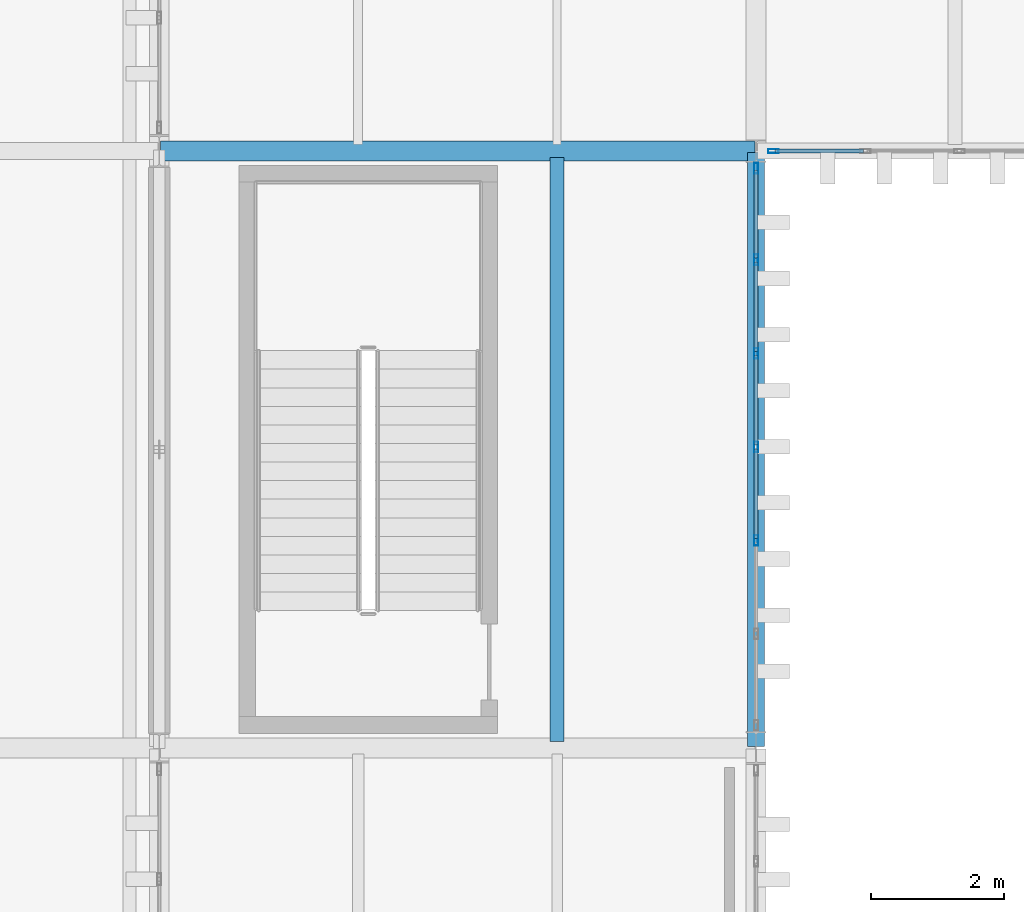
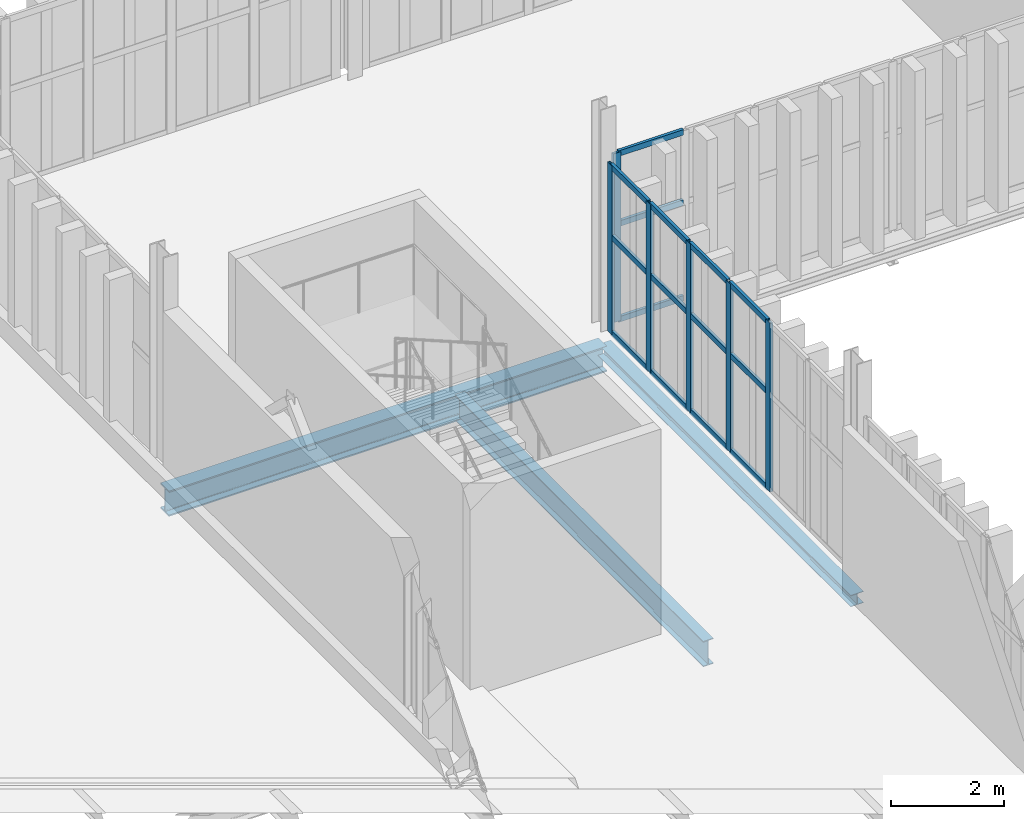
# One storey, part 133 of 196: 21 members, 3 beams, 2 elements without a shape of their own.
"""IFC4 building model written with IfcOpenShell, lengths in metres."""

import ifcopenshell
import ifcopenshell.guid

model = None  # the IFC model being written
_history = None  # IfcOwnerHistory: only IFC2X3 demands one
_inside = {}  # id of a spatial element -> (the spatial element, [elements in it])
_under = {}  # id of a project, library or spatial element -> (it, [spatial elements below it])
_declared = {}  # id of a project -> (the project, [libraries it declares])
_typed = {}  # id of a type object -> (the type object, [elements of that type])
_made_of = {}  # id of a material, layer set ... -> (it, [elements and type objects made of it])


def new_model(schema):
    """Start an empty IFC model of exactly this schema.

    Asked for "IFC4X3", IfcOpenShell would pick the latest addendum, in which some entities
    have other attributes; the version numbers below select the first issue.
    IFC2X3 requires an IfcOwnerHistory on every rooted entity: one is made here for all.
    """
    global model, _history
    if schema == "IFC4X3":
        model = ifcopenshell.file(schema_version=(4, 3, 0, 0))
    else:
        model = ifcopenshell.file(schema=schema)
    _inside.clear()
    _under.clear()
    _declared.clear()
    _typed.clear()
    _made_of.clear()
    _history = None
    if model.schema == "IFC2X3":
        org = make("IfcOrganization", Name="unknown")
        user = make(
            "IfcPersonAndOrganization",
            ThePerson=make("IfcPerson", FamilyName="unknown"),
            TheOrganization=org,
        )
        app = make(
            "IfcApplication",
            ApplicationDeveloper=org,
            Version="unknown",
            ApplicationFullName="unknown",
            ApplicationIdentifier="unknown",
        )
        _history = make(
            "IfcOwnerHistory",
            OwningUser=user,
            OwningApplication=app,
            ChangeAction="ADDED",
            CreationDate=0,
        )
    return model


def make(cls, **values):
    """One entity of the class cls with the attributes given. An attribute that is None is left unset."""
    return model.create_entity(
        cls, **{name: value for name, value in values.items() if value is not None}
    )


def rooted(cls, **values):
    """An entity with a GlobalId (a new one), such as an element, a storey or a relation."""
    return make(cls, GlobalId=ifcopenshell.guid.new(), OwnerHistory=_history, **values)


def si_unit(unit_type, name, prefix=None):
    """IfcSIUnit, for example si_unit("LENGTHUNIT", "METRE", prefix="MILLI")."""
    return make("IfcSIUnit", UnitType=unit_type, Prefix=prefix, Name=name)


def assignment(units):
    """IfcUnitAssignment: the units of a project."""
    return None if units is None else make("IfcUnitAssignment", Units=units)


def point(xyz):
    """IfcCartesianPoint."""
    return None if xyz is None else make("IfcCartesianPoint", Coordinates=xyz)


def direction(xyz):
    """IfcDirection."""
    return None if xyz is None else make("IfcDirection", DirectionRatios=xyz)


def frame(location, z_axis=None, x_axis=None):
    """IfcAxis2Placement3D, a coordinate frame: its origin and axes. An axis left out is left unset."""
    return make(
        "IfcAxis2Placement3D",
        Location=point(location),
        Axis=direction(z_axis),
        RefDirection=direction(x_axis),
    )


def frame_2d(location, x_axis=None):
    """IfcAxis2Placement2D, a coordinate frame in the plane: its origin and x axis."""
    return make(
        "IfcAxis2Placement2D", Location=point(location), RefDirection=direction(x_axis)
    )


def origin():
    """The frame at (0, 0, 0) with its axes left unset."""
    return frame((0.0, 0.0, 0.0))


def origin_2d():
    """The frame at (0, 0) in the plane with its x axis left unset."""
    return frame_2d((0.0, 0.0))


def place(relative_to, where):
    """IfcLocalPlacement: puts the frame where relative to a parent placement (None: the world)."""
    return make(
        "IfcLocalPlacement", PlacementRelTo=relative_to, RelativePlacement=where
    )


def context(
    kind, dimensions, precision=None, world=None, true_north=None, identifier=None
):
    """IfcGeometricRepresentationContext, for example the 3D "Model" context."""
    return make(
        "IfcGeometricRepresentationContext",
        ContextIdentifier=identifier,
        ContextType=kind,
        CoordinateSpaceDimension=dimensions,
        Precision=precision,
        WorldCoordinateSystem=world,
        TrueNorth=true_north,
    )


def subcontext(parent, identifier, kind, view, scale=None):
    """IfcGeometricRepresentationSubContext, for example "Body" below "Model"."""
    return make(
        "IfcGeometricRepresentationSubContext",
        ContextIdentifier=identifier,
        ContextType=kind,
        ParentContext=parent,
        TargetScale=scale,
        TargetView=view,
    )


def project(units=None, contexts=None):
    """IfcProject with its units and contexts."""
    return rooted(
        "IfcProject",
        Name="project",
        RepresentationContexts=contexts,
        UnitsInContext=assignment(units),
    )


def spatial(cls, under=None, at=None, **own):
    """A site, building, storey or space (cls), placed at a placement, below another one or the project."""
    s = rooted(cls, ObjectPlacement=at, **own)
    if under is not None:
        _under.setdefault(under.id(), (under, []))[1].append(s)
    return s


def profile(cls, at=None, kind="AREA", **sizes):
    """A parametric profile (cls). Its sizes go by their IFC names, for example OverallWidth=200.0."""
    return make(cls, ProfileType=kind, Position=at, **sizes)


def hollow_rectangle(**sizes):
    """IfcRectangleHollowProfileDef."""
    return profile("IfcRectangleHollowProfileDef", **sizes)


def i_section(**sizes):
    """IfcIShapeProfileDef."""
    return profile("IfcIShapeProfileDef", **sizes)


def extrude(swept, where, along, depth):
    """IfcExtrudedAreaSolid: the profile swept, set in the frame where, extruded along a direction by depth."""
    return make(
        "IfcExtrudedAreaSolid",
        SweptArea=swept,
        Position=where,
        ExtrudedDirection=direction(along),
        Depth=depth,
    )


def shape(context_of_items, identifier, shape_type, items):
    """IfcShapeRepresentation: the items that make up one representation, for example the "Body"."""
    return make(
        "IfcShapeRepresentation",
        ContextOfItems=context_of_items,
        RepresentationIdentifier=identifier,
        RepresentationType=shape_type,
        Items=items,
    )


def material(Name=None, Category=None):
    """IfcMaterial."""
    return make("IfcMaterial", Name=Name, Category=Category)


def layer(
    of_material, thickness, ventilated=None, Name=None, Category=None, Priority=None
):
    """IfcMaterialLayer: one layer of a wall or slab, of a material (None: an air gap)."""
    return make(
        "IfcMaterialLayer",
        Material=of_material,
        LayerThickness=thickness,
        IsVentilated=ventilated,
        Name=Name,
        Category=Category,
        Priority=Priority,
    )


def layer_set(layers, Name=None):
    """IfcMaterialLayerSet."""
    return make("IfcMaterialLayerSet", MaterialLayers=layers, LayerSetName=Name)


def material_profile(
    of_material, cross_section, Name=None, Category=None, Priority=None
):
    """IfcMaterialProfile: a cross section and its material."""
    return make(
        "IfcMaterialProfile",
        Name=Name,
        Material=of_material,
        Profile=cross_section,
        Priority=Priority,
        Category=Category,
    )


def profile_set(profiles, Name=None, composite=None):
    """IfcMaterialProfileSet."""
    return make(
        "IfcMaterialProfileSet",
        Name=Name,
        MaterialProfiles=profiles,
        CompositeProfile=composite,
    )


def made_of(thing, what):
    """Note that an element or type object is made of a material, layer set ...; save() writes the relation."""
    if what is not None:
        _made_of.setdefault(what.id(), (what, []))[1].append(thing)
    return thing


def type_object(cls, material=None, **own):
    """A type object (cls), such as IfcWallType, which elements share."""
    return made_of(rooted(cls, **own), material)


def element(
    cls,
    number,
    at=None,
    inside=None,
    cuts=None,
    type_object=None,
    material=None,
    context=None,
    identifier="Body",
    shape_type=None,
    held_by="IfcProductDefinitionShape",
    body=None,
    shapes=None,
    **own,
):
    """One element of the class cls, such as IfcWall. Its Tag is "e" and its number.

    at: its placement. inside: the storey or other place that contains it. cuts: it is an
    opening in that element (IfcRelVoidsElement). A single representation is given by context,
    identifier, shape_type and body (its items); several are given by shapes. held_by: the class
    of the entity that holds the representations. save() writes the other relations.
    """
    e = rooted(cls, Tag="e%d" % number, ObjectPlacement=at, **own)
    if body is not None:
        shapes = [shape(context, identifier, shape_type, body)]
    if shapes is not None:
        e.Representation = make(held_by, Representations=shapes)
    if inside is not None:
        _inside.setdefault(inside.id(), (inside, []))[1].append(e)
    if cuts is not None:
        rooted(
            "IfcRelVoidsElement", RelatingBuildingElement=cuts, RelatedOpeningElement=e
        )
    if type_object is not None:
        _typed.setdefault(type_object.id(), (type_object, []))[1].append(e)
    return made_of(e, material)


def aggregate(whole, parts):
    """IfcRelAggregates: a whole, such as a stair, and the parts it consists of."""
    return rooted("IfcRelAggregates", RelatingObject=whole, RelatedObjects=parts)


def save(model, path):
    """Write the relations noted so far, then the file.

    IfcRelAggregates (storeys below a building ...), IfcRelContainedInSpatialStructure (elements
    in a storey), IfcRelDefinesByType, IfcRelAssociatesMaterial and IfcRelDeclares: one each for
    every whole, place, type object, material and project.
    """
    for whole, parts in _under.values():
        aggregate(whole, parts)
    for where, things in _inside.values():
        rooted(
            "IfcRelContainedInSpatialStructure",
            RelatedElements=things,
            RelatingStructure=where,
        )
    for kind, things in _typed.values():
        rooted("IfcRelDefinesByType", RelatedObjects=things, RelatingType=kind)
    for what, things in _made_of.values():
        rooted("IfcRelAssociatesMaterial", RelatedObjects=things, RelatingMaterial=what)
    for by, libraries in _declared.values():
        rooted("IfcRelDeclares", RelatingContext=by, RelatedDefinitions=libraries)
    model.write(path)


model = new_model("IFC4")

# Units and contexts
model_context = context("Model", 3, precision=1e-05, world=origin(), true_north=direction((0.0, 1.0)))
body_context = subcontext(model_context, "Body", "Model", "MODEL_VIEW")
ifc_project = project(units=[si_unit("LENGTHUNIT", "METRE"), si_unit("AREAUNIT", "SQUARE_METRE"), si_unit("VOLUMEUNIT", "CUBIC_METRE"), si_unit("PLANEANGLEUNIT", "RADIAN"), si_unit("MASSUNIT", "GRAM", prefix="KILO")], contexts=[model_context])

# Site, building, storey
site_placement = place(None, origin())
site = spatial("IfcSite", under=ifc_project, at=site_placement, CompositionType="ELEMENT")
building_placement = place(site_placement, origin())
building = spatial("IfcBuilding", under=site, at=building_placement, Name="Barlavento Convention Centre", CompositionType="ELEMENT")
storey_placement = place(building_placement, frame((0.0, 0.0, 18.0)))
storey = spatial("IfcBuildingStorey", under=building, at=storey_placement, Name="L03", CompositionType="ELEMENT", Elevation=18.0)

# Curtain wall, member
ifc_material_1 = material(Name="Powder-coated aluminium and Low-E glass", Category="aluminium")
ifc_layer = layer(ifc_material_1, 0.179931640625)
ifc_layer_set = layer_set([ifc_layer], Name="ARC-CW-PATIO-B")
curtain_wall_type = type_object("IfcCurtainWallType", Name="ARC-CW-PATIO-B", PredefinedType="NOTDEFINED", material=ifc_layer_set)
curtain_wall_1_placement = place(storey_placement, origin())
curtain_wall_1 = element("IfcCurtainWall", 1, at=curtain_wall_1_placement, inside=storey, type_object=curtain_wall_type, Name="L03 unitised curtain wall CW12", PredefinedType="NOTDEFINED")
ifc_material_2 = material(Name="Powder-coated aluminium", Category="aluminium")
ifc_material_profile_1 = material_profile(ifc_material_2, hollow_rectangle(XDim=0.06005859375, YDim=0.159912109375, WallThickness=0.00390625, at=origin_2d()), Name="AL-MULL 60x160x4")
ifc_profile_set_1 = profile_set([ifc_material_profile_1], Name="Powder-coated aluminium")
member_type_1 = type_object("IfcMemberType", Name="ARC-CWM-60X160", PredefinedType="MULLION", material=ifc_profile_set_1)
member_1_placement = place(storey_placement, frame((135.260009765625, 90.0, 0.0), z_axis=(0.0, 0.0, 1.0), x_axis=(0.0, 1.0, 0.0)))
member_1 = element("IfcMember", 2, at=member_1_placement, type_object=member_type_1, Name="CW12 mullion 1", PredefinedType="MULLION", context=body_context, shape_type="SweptSolid", body=[
    extrude(hollow_rectangle(XDim=0.06005859375, YDim=0.159912109375, WallThickness=0.00390625, at=origin_2d()), origin(), (0.0, 0.0, 1.0), 3.64990234375),
])

# Curtain wall, members
curtain_wall_2_placement = place(storey_placement, origin())
curtain_wall_2 = element("IfcCurtainWall", 3, at=curtain_wall_2_placement, inside=storey, type_object=curtain_wall_type, Name="L03 unitised curtain wall CW12", PredefinedType="NOTDEFINED")
member_2_placement = place(storey_placement, frame((135.0, 84.1298828125, 0.0), z_axis=(0.0, 0.0, 1.0), x_axis=(-1.0, 0.0, 0.0)))
member_2 = element("IfcMember", 4, at=member_2_placement, type_object=member_type_1, Name="CW12 mullion 3", PredefinedType="MULLION", context=body_context, shape_type="SweptSolid", body=[
    extrude(hollow_rectangle(XDim=0.06005859375, YDim=0.159912109375, WallThickness=0.00390625, at=origin_2d()), origin(), (0.0, 0.0, 1.0), 3.64990234375),
])
member_3_placement = place(storey_placement, frame((135.0, 85.5400390625, 0.0), z_axis=(0.0, 0.0, 1.0), x_axis=(-1.0, 0.0, 0.0)))
member_3 = element("IfcMember", 5, at=member_3_placement, type_object=member_type_1, Name="CW12 mullion 4", PredefinedType="MULLION", context=body_context, shape_type="SweptSolid", body=[
    extrude(hollow_rectangle(XDim=0.06005859375, YDim=0.159912109375, WallThickness=0.00390625, at=origin_2d()), origin(), (0.0, 0.0, 1.0), 3.64990234375),
])
member_4_placement = place(storey_placement, frame((135.0, 86.949951171875, 0.0), z_axis=(0.0, 0.0, 1.0), x_axis=(-1.0, 0.0, 0.0)))
member_4 = element("IfcMember", 6, at=member_4_placement, type_object=member_type_1, Name="CW12 mullion 5", PredefinedType="MULLION", context=body_context, shape_type="SweptSolid", body=[
    extrude(hollow_rectangle(XDim=0.06005859375, YDim=0.159912109375, WallThickness=0.00390625, at=origin_2d()), origin(), (0.0, 0.0, 1.0), 3.64990234375),
])
member_5_placement = place(storey_placement, frame((135.0, 88.360107421875, 0.0), z_axis=(0.0, 0.0, 1.0), x_axis=(-1.0, 0.0, 0.0)))
member_5 = element("IfcMember", 7, at=member_5_placement, type_object=member_type_1, Name="CW12 mullion 6", PredefinedType="MULLION", context=body_context, shape_type="SweptSolid", body=[
    extrude(hollow_rectangle(XDim=0.06005859375, YDim=0.159912109375, WallThickness=0.00390625, at=origin_2d()), origin(), (0.0, 0.0, 1.0), 3.64990234375),
])
member_6_placement = place(storey_placement, frame((135.0, 89.739990234375, 0.0), z_axis=(0.0, 0.0, 1.0), x_axis=(-1.0, 0.0, 0.0)))
member_6 = element("IfcMember", 8, at=member_6_placement, type_object=member_type_1, Name="CW12 mullion 7", PredefinedType="MULLION", context=body_context, shape_type="SweptSolid", body=[
    extrude(hollow_rectangle(XDim=0.06005859375, YDim=0.159912109375, WallThickness=0.00390625, at=origin_2d()), origin(), (0.0, 0.0, 1.0), 3.64990234375),
])

# Member
ifc_material_profile_2 = material_profile(ifc_material_2, hollow_rectangle(XDim=0.06005859375, YDim=0.1201171875, WallThickness=0.00390625, at=origin_2d()), Name="AL-TRAN 60x120x4")
ifc_profile_set_2 = profile_set([ifc_material_profile_2], Name="Powder-coated aluminium")
member_type_2 = type_object("IfcMemberType", Name="ARC-CWT-60X120", PredefinedType="USERDEFINED", material=ifc_profile_set_2)
member_7_placement = place(storey_placement, frame((135.2900390625, 90.0, 0.030029296875), z_axis=(1.0, 0.0, 0.0), x_axis=(0.0, 1.0, 0.0)))
member_7 = element("IfcMember", 9, at=member_7_placement, type_object=member_type_2, Name="CW12 transom 1.1", ObjectType="TRANSOM", PredefinedType="USERDEFINED", context=body_context, shape_type="SweptSolid", body=[
    extrude(hollow_rectangle(XDim=0.06005859375, YDim=0.1201171875, WallThickness=0.00390625, at=origin_2d()), origin(), (0.0, 0.0, 1.0), 1.328369140625),
])

member_8_placement = place(storey_placement, frame((135.2900390625, 90.0, 2.10009765625), z_axis=(1.0, 0.0, 0.0), x_axis=(0.0, 1.0, 0.0)))
member_8 = element("IfcMember", 10, at=member_8_placement, type_object=member_type_2, Name="CW12 transom 1.2", ObjectType="TRANSOM", PredefinedType="USERDEFINED", context=body_context, shape_type="SweptSolid", body=[
    extrude(hollow_rectangle(XDim=0.06005859375, YDim=0.1201171875, WallThickness=0.00390625, at=origin_2d()), origin(), (0.0, 0.0, 1.0), 1.328369140625),
])

member_9_placement = place(storey_placement, frame((135.2900390625, 90.0, 3.6201171875), z_axis=(1.0, 0.0, 0.0), x_axis=(0.0, 1.0, 0.0)))
member_9 = element("IfcMember", 11, at=member_9_placement, type_object=member_type_2, Name="CW12 transom 1.3", ObjectType="TRANSOM", PredefinedType="USERDEFINED", context=body_context, shape_type="SweptSolid", body=[
    extrude(hollow_rectangle(XDim=0.06005859375, YDim=0.1201171875, WallThickness=0.00390625, at=origin_2d()), origin(), (0.0, 0.0, 1.0), 1.328369140625),
])

aggregate(curtain_wall_1, [member_1, member_7, member_8, member_9])

member_10_placement = place(storey_placement, frame((135.0, 84.159912109375, 0.030029296875), z_axis=(0.0, 1.0, 0.0), x_axis=(-1.0, 0.0, 0.0)))
member_10 = element("IfcMember", 12, at=member_10_placement, type_object=member_type_2, Name="CW12 transom 3.1", ObjectType="TRANSOM", PredefinedType="USERDEFINED", context=body_context, shape_type="SweptSolid", body=[
    extrude(hollow_rectangle(XDim=0.06005859375, YDim=0.1201171875, WallThickness=0.00390625, at=origin_2d()), origin(), (0.0, 0.0, 1.0), 1.35009765625),
])

member_11_placement = place(storey_placement, frame((135.0, 84.159912109375, 2.10009765625), z_axis=(0.0, 1.0, 0.0), x_axis=(-1.0, 0.0, 0.0)))
member_11 = element("IfcMember", 13, at=member_11_placement, type_object=member_type_2, Name="CW12 transom 3.2", ObjectType="TRANSOM", PredefinedType="USERDEFINED", context=body_context, shape_type="SweptSolid", body=[
    extrude(hollow_rectangle(XDim=0.06005859375, YDim=0.1201171875, WallThickness=0.00390625, at=origin_2d()), origin(), (0.0, 0.0, 1.0), 1.35009765625),
])

member_12_placement = place(storey_placement, frame((135.0, 84.159912109375, 3.6201171875), z_axis=(0.0, 1.0, 0.0), x_axis=(-1.0, 0.0, 0.0)))
member_12 = element("IfcMember", 14, at=member_12_placement, type_object=member_type_2, Name="CW12 transom 3.3", ObjectType="TRANSOM", PredefinedType="USERDEFINED", context=body_context, shape_type="SweptSolid", body=[
    extrude(hollow_rectangle(XDim=0.06005859375, YDim=0.1201171875, WallThickness=0.00390625, at=origin_2d()), origin(), (0.0, 0.0, 1.0), 1.35009765625),
])

member_13_placement = place(storey_placement, frame((135.0, 85.570068359375, 0.030029296875), z_axis=(0.0, 1.0, 0.0), x_axis=(-1.0, 0.0, 0.0)))
member_13 = element("IfcMember", 15, at=member_13_placement, type_object=member_type_2, Name="CW12 transom 4.1", ObjectType="TRANSOM", PredefinedType="USERDEFINED", context=body_context, shape_type="SweptSolid", body=[
    extrude(hollow_rectangle(XDim=0.06005859375, YDim=0.1201171875, WallThickness=0.00390625, at=origin_2d()), origin(), (0.0, 0.0, 1.0), 1.349853515625),
])

member_14_placement = place(storey_placement, frame((135.0, 85.570068359375, 2.10009765625), z_axis=(0.0, 1.0, 0.0), x_axis=(-1.0, 0.0, 0.0)))
member_14 = element("IfcMember", 16, at=member_14_placement, type_object=member_type_2, Name="CW12 transom 4.2", ObjectType="TRANSOM", PredefinedType="USERDEFINED", context=body_context, shape_type="SweptSolid", body=[
    extrude(hollow_rectangle(XDim=0.06005859375, YDim=0.1201171875, WallThickness=0.00390625, at=origin_2d()), origin(), (0.0, 0.0, 1.0), 1.349853515625),
])

member_15_placement = place(storey_placement, frame((135.0, 85.570068359375, 3.6201171875), z_axis=(0.0, 1.0, 0.0), x_axis=(-1.0, 0.0, 0.0)))
member_15 = element("IfcMember", 17, at=member_15_placement, type_object=member_type_2, Name="CW12 transom 4.3", ObjectType="TRANSOM", PredefinedType="USERDEFINED", context=body_context, shape_type="SweptSolid", body=[
    extrude(hollow_rectangle(XDim=0.06005859375, YDim=0.1201171875, WallThickness=0.00390625, at=origin_2d()), origin(), (0.0, 0.0, 1.0), 1.349853515625),
])

member_16_placement = place(storey_placement, frame((135.0, 86.97998046875, 0.030029296875), z_axis=(0.0, 1.0, 0.0), x_axis=(-1.0, 0.0, 0.0)))
member_16 = element("IfcMember", 18, at=member_16_placement, type_object=member_type_2, Name="CW12 transom 5.1", ObjectType="TRANSOM", PredefinedType="USERDEFINED", context=body_context, shape_type="SweptSolid", body=[
    extrude(hollow_rectangle(XDim=0.06005859375, YDim=0.1201171875, WallThickness=0.00390625, at=origin_2d()), origin(), (0.0, 0.0, 1.0), 1.35009765625),
])

member_17_placement = place(storey_placement, frame((135.0, 86.97998046875, 2.10009765625), z_axis=(0.0, 1.0, 0.0), x_axis=(-1.0, 0.0, 0.0)))
member_17 = element("IfcMember", 19, at=member_17_placement, type_object=member_type_2, Name="CW12 transom 5.2", ObjectType="TRANSOM", PredefinedType="USERDEFINED", context=body_context, shape_type="SweptSolid", body=[
    extrude(hollow_rectangle(XDim=0.06005859375, YDim=0.1201171875, WallThickness=0.00390625, at=origin_2d()), origin(), (0.0, 0.0, 1.0), 1.35009765625),
])

member_18_placement = place(storey_placement, frame((135.0, 86.97998046875, 3.6201171875), z_axis=(0.0, 1.0, 0.0), x_axis=(-1.0, 0.0, 0.0)))
member_18 = element("IfcMember", 20, at=member_18_placement, type_object=member_type_2, Name="CW12 transom 5.3", ObjectType="TRANSOM", PredefinedType="USERDEFINED", context=body_context, shape_type="SweptSolid", body=[
    extrude(hollow_rectangle(XDim=0.06005859375, YDim=0.1201171875, WallThickness=0.00390625, at=origin_2d()), origin(), (0.0, 0.0, 1.0), 1.35009765625),
])

member_19_placement = place(storey_placement, frame((135.0, 88.389892578125, 0.030029296875), z_axis=(0.0, 1.0, 0.0), x_axis=(-1.0, 0.0, 0.0)))
member_19 = element("IfcMember", 21, at=member_19_placement, type_object=member_type_2, Name="CW12 transom 6.1", ObjectType="TRANSOM", PredefinedType="USERDEFINED", context=body_context, shape_type="SweptSolid", body=[
    extrude(hollow_rectangle(XDim=0.06005859375, YDim=0.1201171875, WallThickness=0.00390625, at=origin_2d()), origin(), (0.0, 0.0, 1.0), 1.320068359375),
])

member_20_placement = place(storey_placement, frame((135.0, 88.389892578125, 2.10009765625), z_axis=(0.0, 1.0, 0.0), x_axis=(-1.0, 0.0, 0.0)))
member_20 = element("IfcMember", 22, at=member_20_placement, type_object=member_type_2, Name="CW12 transom 6.2", ObjectType="TRANSOM", PredefinedType="USERDEFINED", context=body_context, shape_type="SweptSolid", body=[
    extrude(hollow_rectangle(XDim=0.06005859375, YDim=0.1201171875, WallThickness=0.00390625, at=origin_2d()), origin(), (0.0, 0.0, 1.0), 1.320068359375),
])

member_21_placement = place(storey_placement, frame((135.0, 88.389892578125, 3.6201171875), z_axis=(0.0, 1.0, 0.0), x_axis=(-1.0, 0.0, 0.0)))
member_21 = element("IfcMember", 23, at=member_21_placement, type_object=member_type_2, Name="CW12 transom 6.3", ObjectType="TRANSOM", PredefinedType="USERDEFINED", context=body_context, shape_type="SweptSolid", body=[
    extrude(hollow_rectangle(XDim=0.06005859375, YDim=0.1201171875, WallThickness=0.00390625, at=origin_2d()), origin(), (0.0, 0.0, 1.0), 1.320068359375),
])

aggregate(curtain_wall_2, [member_2, member_3, member_4, member_5, member_6, member_10, member_11, member_12, member_13, member_14, member_15, member_16, member_17, member_18, member_19, member_20, member_21])

# Beams
ifc_material_3 = material(Name="Steel S355", Category="steel")
ifc_material_profile_3 = material_profile(ifc_material_3, i_section(OverallWidth=0.2099609375, OverallDepth=0.550048828125, WebThickness=0.010986328125, FlangeThickness=0.01708984375, FilletRadius=0.02392578125, at=origin_2d()), Name="IPE 550")
ifc_profile_set_3 = profile_set([ifc_material_profile_3], Name="Steel S355")
beam_type_1 = type_object("IfcBeamType", Name="STR-BM-JST-IPE550", PredefinedType="JOIST", material=ifc_profile_set_3)
beam_1_placement = place(storey_placement, frame((132.0, 81.094970703125, -0.635009765625), z_axis=(0.0, 1.0, 0.0), x_axis=(-1.0, 0.0, 0.0)))
element("IfcBeam", 24, at=beam_1_placement, inside=storey, type_object=beam_type_1, Name="L03 composite floor joist SJ01", PredefinedType="JOIST", context=body_context, shape_type="SweptSolid", body=[
    extrude(i_section(OverallWidth=0.2099609375, OverallDepth=0.550048828125, WebThickness=0.010986328125, FlangeThickness=0.01708984375, FilletRadius=0.02392578125, at=origin_2d()), origin(), (0.0, 0.0, 1.0), 8.81005859375),
])
ifc_material_profile_4 = material_profile(ifc_material_3, i_section(OverallWidth=0.300048828125, OverallDepth=0.550048828125, WebThickness=0.014892578125, FlangeThickness=0.029052734375, FilletRadius=0.027099609375, at=origin_2d()), Name="HEB 550")
ifc_profile_set_4 = profile_set([ifc_material_profile_4], Name="Steel S355")
beam_type_2 = type_object("IfcBeamType", Name="STR-BM-PRI-HEB550", PredefinedType="BEAM", material=ifc_profile_set_4)
beam_2_placement = place(storey_placement, frame((126.02001953125, 90.0, -0.635009765625), z_axis=(1.0, 0.0, 0.0), x_axis=(0.0, 1.0, 0.0)))
element("IfcBeam", 25, at=beam_2_placement, inside=storey, type_object=beam_type_2, Name="L03 primary girder BG08", PredefinedType="BEAM", context=body_context, shape_type="SweptSolid", body=[
    extrude(i_section(OverallWidth=0.300048828125, OverallDepth=0.550048828125, WebThickness=0.014892578125, FlangeThickness=0.029052734375, FilletRadius=0.027099609375, at=origin_2d()), origin(), (0.0, 0.0, 1.0), 8.9599609375),
])
ifc_material_profile_5 = material_profile(ifc_material_3, i_section(OverallWidth=0.260009765625, OverallDepth=0.25, WebThickness=0.007568359375, FlangeThickness=0.012451171875, FilletRadius=0.02392578125, at=origin_2d()), Name="HEA 260")
ifc_profile_set_5 = profile_set([ifc_material_profile_5], Name="Steel S355")
beam_type_3 = type_object("IfcBeamType", Name="STR-BM-SPN-HEA260", PredefinedType="SPANDREL", material=ifc_profile_set_5)
beam_3_placement = place(storey_placement, frame((135.0, 81.02001953125, -0.485107421875), z_axis=(0.0, 1.0, 0.0), x_axis=(-1.0, 0.0, 0.0)))
element("IfcBeam", 26, at=beam_3_placement, inside=storey, type_object=beam_type_3, Name="L03 grid girder SP04", PredefinedType="SPANDREL", context=body_context, shape_type="SweptSolid", body=[
    extrude(i_section(OverallWidth=0.260009765625, OverallDepth=0.25, WebThickness=0.007568359375, FlangeThickness=0.012451171875, FilletRadius=0.02392578125, at=origin_2d()), origin(), (0.0, 0.0, 1.0), 8.9599609375),
])

save(model, "model.ifc")
